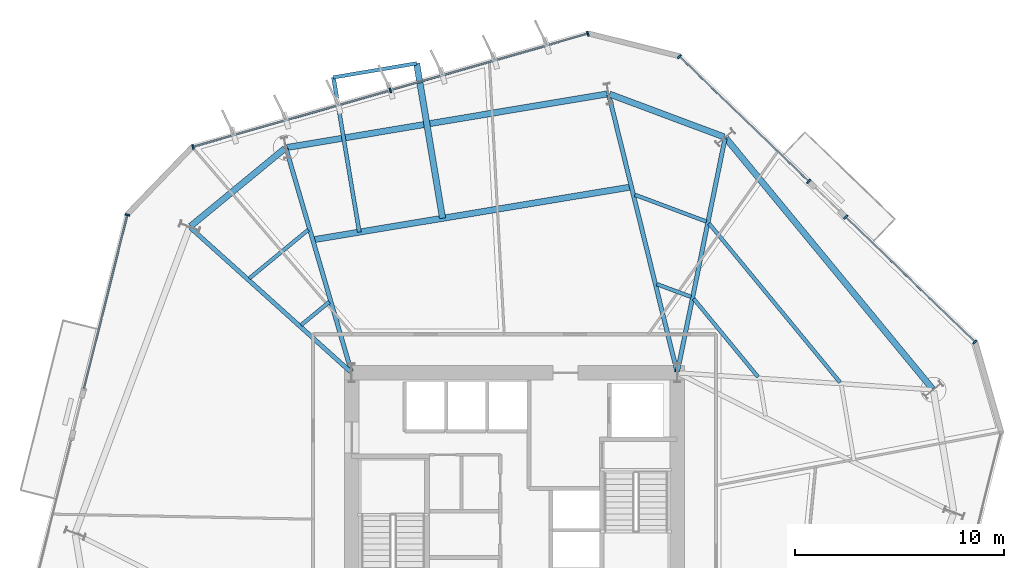
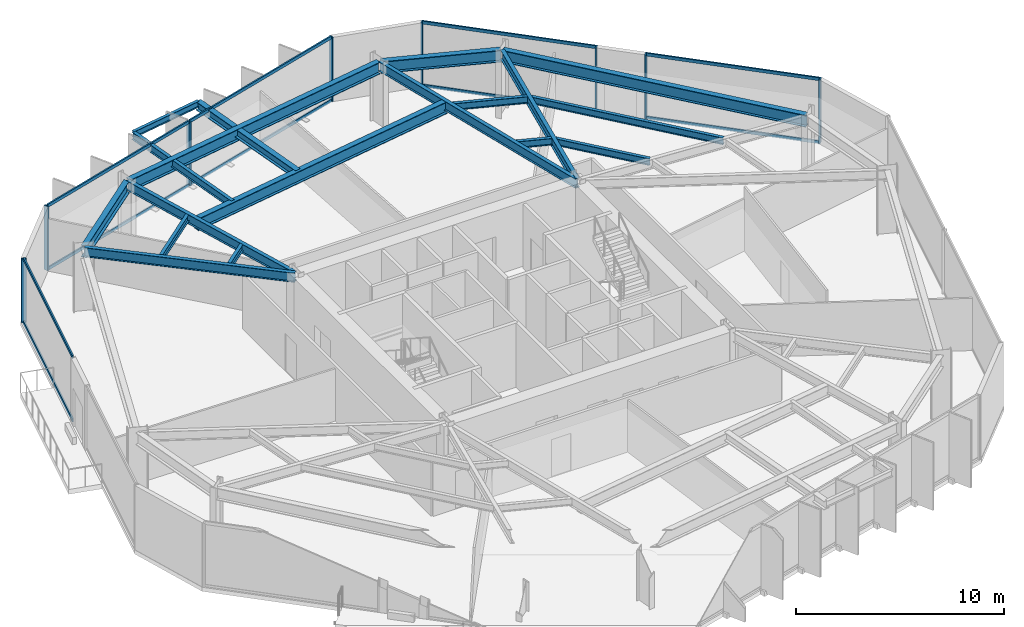
# One storey, part 4 of 10: 18 beams, 18 members, 4 elements without a shape of their own.
"""IFC4 building model written with IfcOpenShell, lengths in metres."""

from ifc_helpers import new_model, si_unit, direction, frame, origin, origin_2d, place, context, subcontext, project, spatial, rectangle, i_section, extrude, material, layer, layer_set, material_profile, profile_set, type_object, element, aggregate, save


model = new_model("IFC4")

# Units and contexts
model_context = context("Model", 3, precision=1e-05, world=origin(), true_north=direction((0.0, 1.0)))
body_context = subcontext(model_context, "Body", "Model", "MODEL_VIEW")
ifc_project = project(units=[si_unit("LENGTHUNIT", "METRE"), si_unit("AREAUNIT", "SQUARE_METRE"), si_unit("VOLUMEUNIT", "CUBIC_METRE"), si_unit("PLANEANGLEUNIT", "RADIAN"), si_unit("MASSUNIT", "GRAM", prefix="KILO")], contexts=[model_context])

# Site, building, storey
site_placement = place(None, origin())
site = spatial("IfcSite", under=ifc_project, at=site_placement, CompositionType="ELEMENT")
building_placement = place(site_placement, origin())
building = spatial("IfcBuilding", under=site, at=building_placement, Name="Kranzbogen Civic Tower", CompositionType="ELEMENT")
storey_placement = place(building_placement, frame((0.0, 0.0, 84.0)))
storey = spatial("IfcBuildingStorey", under=building, at=storey_placement, Name="L20", CompositionType="ELEMENT", Elevation=84.0)

# Beam
ifc_material_1 = material(Name="Steel S355", Category="steel")
ifc_material_profile_1 = material_profile(ifc_material_1, i_section(OverallWidth=0.18994140625, OverallDepth=0.449951171875, WebThickness=0.009521484375, FlangeThickness=0.0146484375, at=origin_2d()), Name="IPE 450")
ifc_profile_set_1 = profile_set([ifc_material_profile_1], Name="Steel S355")
beam_type_1 = type_object("IfcBeamType", Name="Braced Terrace Edge Beam IPE 450", PredefinedType="BEAM", material=ifc_profile_set_1)
beam_1_placement = place(storey_placement, frame((17.56494140625, 38.944091796875, 3.52490234375), z_axis=(-0.165067748131, 0.986282230666, 0.0), x_axis=(-0.986282230666, -0.165067748131, 0.0)))
element("IfcBeam", 1, at=beam_1_placement, inside=storey, type_object=beam_type_1, Name="L21 back-spanned terrace beam L21-TB2-2", PredefinedType="BEAM", context=body_context, shape_type="SweptSolid", body=[
    extrude(i_section(OverallWidth=0.18994140625, OverallDepth=0.449951171875, WebThickness=0.009521484375, FlangeThickness=0.0146484375, at=origin_2d()), origin(), (0.0, 0.0, 1.0), 7.517822265625),
])

# Curtain wall, members
ifc_material_2 = material(Name="Pale Anodised Aluminium", Category="aluminium")
ifc_layer = layer(ifc_material_2, 0.219970703125, Name="Pale Anodised Aluminium")
ifc_layer_set = layer_set([ifc_layer], Name="Pale Anodised Aluminium")
curtain_wall_type = type_object("IfcCurtainWallType", Name="Zone 1 Stick Curtain Wall System CW-02", PredefinedType="USERDEFINED", material=ifc_layer_set)
curtain_wall_1_placement = place(storey_placement, origin())
curtain_wall_1 = element("IfcCurtainWall", 2, at=curtain_wall_1_placement, inside=storey, type_object=curtain_wall_type, Name="L20 curtain wall CW-L20-F1-S1", ObjectType="STICK CURTAIN WALL", PredefinedType="USERDEFINED")
ifc_material_profile_2 = material_profile(ifc_material_2, rectangle(XDim=0.080078125, YDim=0.239990234375, at=origin_2d()), Name="ALU-M 80x240")
ifc_profile_set_2 = profile_set([ifc_material_profile_2], Name="Pale Anodised Aluminium")
member_type_1 = type_object("IfcMemberType", Name="Curtain Wall Mullion ALU-M 80x240", PredefinedType="MULLION", material=ifc_profile_set_2)
member_1_placement = place(storey_placement, frame((47.0654296875, 33.680908203125, 0.0), z_axis=(0.0, 0.0, 1.0), x_axis=(-0.719280253947, 0.694720027264, 0.0)))
member_1 = element("IfcMember", 3, at=member_1_placement, type_object=member_type_1, Name="CW-02 mullion 1", PredefinedType="MULLION", context=body_context, shape_type="SweptSolid", body=[
    extrude(rectangle(XDim=0.080078125, YDim=0.239990234375, at=origin_2d()), origin(), (0.0, 0.0, 1.0), 3.760009765625),
])
member_2_placement = place(storey_placement, frame((40.87060546875, 39.6640625, 0.0), z_axis=(0.0, 0.0, 1.0), x_axis=(-0.719280253947, 0.694720027264, 0.0)))
member_2 = element("IfcMember", 4, at=member_2_placement, type_object=member_type_1, Name="CW-02 mullion 2", PredefinedType="MULLION", context=body_context, shape_type="SweptSolid", body=[
    extrude(rectangle(XDim=0.080078125, YDim=0.239990234375, at=origin_2d()), origin(), (0.0, 0.0, 1.0), 3.760009765625),
])

curtain_wall_2_placement = place(storey_placement, origin())
curtain_wall_2 = element("IfcCurtainWall", 5, at=curtain_wall_2_placement, inside=storey, type_object=curtain_wall_type, Name="L20 curtain wall CW-L20-F1-S2", ObjectType="STICK CURTAIN WALL", PredefinedType="USERDEFINED")
member_3_placement = place(storey_placement, frame((39.100341796875, 41.372802734375, 0.0), z_axis=(0.0, 0.0, 1.0), x_axis=(-0.719337874426, 0.694660364794, 0.0)))
member_3 = element("IfcMember", 6, at=member_3_placement, type_object=member_type_1, Name="CW-02 mullion 1", PredefinedType="MULLION", context=body_context, shape_type="SweptSolid", body=[
    extrude(rectangle(XDim=0.080078125, YDim=0.239990234375, at=origin_2d()), origin(), (0.0, 0.0, 1.0), 3.760009765625),
])
member_4_placement = place(storey_placement, frame((32.905517578125, 47.355224609375, 0.0), z_axis=(0.0, 0.0, 1.0), x_axis=(-0.719337874426, 0.694660364794, 0.0)))
member_4 = element("IfcMember", 7, at=member_4_placement, type_object=member_type_1, Name="CW-02 mullion 2", PredefinedType="MULLION", context=body_context, shape_type="SweptSolid", body=[
    extrude(rectangle(XDim=0.080078125, YDim=0.239990234375, at=origin_2d()), origin(), (0.0, 0.0, 1.0), 3.760009765625),
])

curtain_wall_3_placement = place(storey_placement, origin())
curtain_wall_3 = element("IfcCurtainWall", 8, at=curtain_wall_3_placement, inside=storey, type_object=curtain_wall_type, Name="L20 curtain wall CW-L20-F2", ObjectType="STICK CURTAIN WALL", PredefinedType="USERDEFINED")
member_5_placement = place(storey_placement, frame((28.51416015625, 48.45068359375, 0.0), z_axis=(0.0, 0.0, 1.0), x_axis=(-0.961250163231, -0.275677571973, 0.0)))
member_5 = element("IfcMember", 9, at=member_5_placement, type_object=member_type_1, Name="CW-02 mullion 1", PredefinedType="MULLION", context=body_context, shape_type="SweptSolid", body=[
    extrude(rectangle(XDim=0.080078125, YDim=0.239990234375, at=origin_2d()), origin(), (0.0, 0.0, 1.0), 3.760009765625),
])
member_6_placement = place(storey_placement, frame((19.053466796875, 45.737548828125, 0.0), z_axis=(0.0, 0.0, 1.0), x_axis=(-0.961250163231, -0.275677571973, 0.0)))
member_6 = element("IfcMember", 10, at=member_6_placement, type_object=member_type_1, Name="CW-02 mullion 2", PredefinedType="MULLION", context=body_context, shape_type="SweptSolid", body=[
    extrude(rectangle(XDim=0.080078125, YDim=0.239990234375, at=origin_2d()), origin(), (0.0, 0.0, 1.0), 3.760009765625),
])
member_7_placement = place(storey_placement, frame((9.5927734375, 43.024169921875, 0.0), z_axis=(0.0, 0.0, 1.0), x_axis=(-0.961250163231, -0.275677571973, 0.0)))
member_7 = element("IfcMember", 11, at=member_7_placement, type_object=member_type_1, Name="CW-02 mullion 3", PredefinedType="MULLION", context=body_context, shape_type="SweptSolid", body=[
    extrude(rectangle(XDim=0.080078125, YDim=0.239990234375, at=origin_2d()), origin(), (0.0, 0.0, 1.0), 3.760009765625),
])

# Curtain wall, member
curtain_wall_4_placement = place(storey_placement, origin())
curtain_wall_4 = element("IfcCurtainWall", 12, at=curtain_wall_4_placement, inside=storey, type_object=curtain_wall_type, Name="L20 curtain wall CW-L20-F3-S1", ObjectType="STICK CURTAIN WALL", PredefinedType="USERDEFINED")
member_8_placement = place(storey_placement, frame((6.44873046875, 39.768798828125, 0.0), z_axis=(0.0, 0.0, 1.0), x_axis=(-0.241938635262, -0.970291552456, 0.0)))
member_8 = element("IfcMember", 13, at=member_8_placement, type_object=member_type_1, Name="CW-02 mullion 1", PredefinedType="MULLION", context=body_context, shape_type="SweptSolid", body=[
    extrude(rectangle(XDim=0.080078125, YDim=0.239990234375, at=origin_2d()), origin(), (0.0, 0.0, 1.0), 3.760009765625),
])

# Member
ifc_material_profile_3 = material_profile(ifc_material_2, rectangle(XDim=0.080078125, YDim=0.179931640625, at=origin_2d()), Name="ALU-T 80x180")
ifc_profile_set_3 = profile_set([ifc_material_profile_3], Name="Pale Anodised Aluminium")
member_type_2 = type_object("IfcMemberType", Name="Curtain Wall Transom ALU-T 80x180", PredefinedType="USERDEFINED", material=ifc_profile_set_3)
member_9_placement = place(storey_placement, frame((47.0439453125, 33.70166015625, 0.030029296875), z_axis=(-0.719288815116, 0.694711163326, 0.0), x_axis=(-0.694711163326, -0.719288815116, 0.0)))
member_9 = element("IfcMember", 14, at=member_9_placement, type_object=member_type_2, Name="CW-02 transom 1.1", ObjectType="TRANSOM", PredefinedType="USERDEFINED", context=body_context, shape_type="SweptSolid", body=[
    extrude(rectangle(XDim=0.080078125, YDim=0.179931640625, at=origin_2d()), origin(), (0.0, 0.0, 1.0), 8.552734375),
])

member_10_placement = place(storey_placement, frame((47.0439453125, 33.70166015625, 3.72998046875), z_axis=(-0.719288815116, 0.694711163326, 0.0), x_axis=(-0.694711163326, -0.719288815116, 0.0)))
member_10 = element("IfcMember", 15, at=member_10_placement, type_object=member_type_2, Name="CW-02 transom 1.2", ObjectType="TRANSOM", PredefinedType="USERDEFINED", context=body_context, shape_type="SweptSolid", body=[
    extrude(rectangle(XDim=0.080078125, YDim=0.179931640625, at=origin_2d()), origin(), (0.0, 0.0, 1.0), 8.552734375),
])

aggregate(curtain_wall_1, [member_1, member_2, member_9, member_10])

member_11_placement = place(storey_placement, frame((39.078857421875, 41.393798828125, 0.030029296875), z_axis=(-0.71934636339, 0.694651574156, 0.0), x_axis=(-0.694651574156, -0.71934636339, 0.0)))
member_11 = element("IfcMember", 16, at=member_11_placement, type_object=member_type_2, Name="CW-02 transom 1.1", ObjectType="TRANSOM", PredefinedType="USERDEFINED", context=body_context, shape_type="SweptSolid", body=[
    extrude(rectangle(XDim=0.080078125, YDim=0.179931640625, at=origin_2d()), origin(), (0.0, 0.0, 1.0), 8.5517578125),
])

member_12_placement = place(storey_placement, frame((39.078857421875, 41.393798828125, 3.72998046875), z_axis=(-0.71934636339, 0.694651574156, 0.0), x_axis=(-0.694651574156, -0.71934636339, 0.0)))
member_12 = element("IfcMember", 17, at=member_12_placement, type_object=member_type_2, Name="CW-02 transom 1.2", ObjectType="TRANSOM", PredefinedType="USERDEFINED", context=body_context, shape_type="SweptSolid", body=[
    extrude(rectangle(XDim=0.080078125, YDim=0.179931640625, at=origin_2d()), origin(), (0.0, 0.0, 1.0), 8.5517578125),
])

aggregate(curtain_wall_2, [member_3, member_4, member_11, member_12])

member_13_placement = place(storey_placement, frame((28.4853515625, 48.4423828125, 0.030029296875), z_axis=(-0.96125507311, -0.275660451318, 0.0), x_axis=(0.275660451318, -0.96125507311, 0.0)))
member_13 = element("IfcMember", 18, at=member_13_placement, type_object=member_type_2, Name="CW-02 transom 1.1", ObjectType="TRANSOM", PredefinedType="USERDEFINED", context=body_context, shape_type="SweptSolid", body=[
    extrude(rectangle(XDim=0.080078125, YDim=0.179931640625, at=origin_2d()), origin(), (0.0, 0.0, 1.0), 9.781982421875),
])

member_14_placement = place(storey_placement, frame((28.4853515625, 48.4423828125, 3.72998046875), z_axis=(-0.96125507311, -0.275660451318, 0.0), x_axis=(0.275660451318, -0.96125507311, 0.0)))
member_14 = element("IfcMember", 19, at=member_14_placement, type_object=member_type_2, Name="CW-02 transom 1.2", ObjectType="TRANSOM", PredefinedType="USERDEFINED", context=body_context, shape_type="SweptSolid", body=[
    extrude(rectangle(XDim=0.080078125, YDim=0.179931640625, at=origin_2d()), origin(), (0.0, 0.0, 1.0), 9.781982421875),
])

member_15_placement = place(storey_placement, frame((19.024658203125, 45.729248046875, 0.030029296875), z_axis=(-0.961248459523, -0.275683512499, 0.0), x_axis=(0.275683512499, -0.961248459523, 0.0)))
member_15 = element("IfcMember", 20, at=member_15_placement, type_object=member_type_2, Name="CW-02 transom 2.1", ObjectType="TRANSOM", PredefinedType="USERDEFINED", context=body_context, shape_type="SweptSolid", body=[
    extrude(rectangle(XDim=0.080078125, YDim=0.179931640625, at=origin_2d()), origin(), (0.0, 0.0, 1.0), 9.7822265625),
])

member_16_placement = place(storey_placement, frame((19.024658203125, 45.729248046875, 3.72998046875), z_axis=(-0.961248459523, -0.275683512499, 0.0), x_axis=(0.275683512499, -0.961248459523, 0.0)))
member_16 = element("IfcMember", 21, at=member_16_placement, type_object=member_type_2, Name="CW-02 transom 2.2", ObjectType="TRANSOM", PredefinedType="USERDEFINED", context=body_context, shape_type="SweptSolid", body=[
    extrude(rectangle(XDim=0.080078125, YDim=0.179931640625, at=origin_2d()), origin(), (0.0, 0.0, 1.0), 9.7822265625),
])

aggregate(curtain_wall_3, [member_5, member_6, member_7, member_13, member_14, member_15, member_16])

member_17_placement = place(storey_placement, frame((6.44140625, 39.73974609375, 0.030029296875), z_axis=(-0.241924292252, -0.97029512872, 0.0), x_axis=(0.97029512872, -0.241924292252, 0.0)))
member_17 = element("IfcMember", 22, at=member_17_placement, type_object=member_type_2, Name="CW-02 transom 1.1", ObjectType="TRANSOM", PredefinedType="USERDEFINED", context=body_context, shape_type="SweptSolid", body=[
    extrude(rectangle(XDim=0.080078125, YDim=0.179931640625, at=origin_2d()), origin(), (0.0, 0.0, 1.0), 8.551513671875),
])

member_18_placement = place(storey_placement, frame((6.44140625, 39.73974609375, 3.72998046875), z_axis=(-0.241924292252, -0.97029512872, 0.0), x_axis=(0.97029512872, -0.241924292252, 0.0)))
member_18 = element("IfcMember", 23, at=member_18_placement, type_object=member_type_2, Name="CW-02 transom 1.2", ObjectType="TRANSOM", PredefinedType="USERDEFINED", context=body_context, shape_type="SweptSolid", body=[
    extrude(rectangle(XDim=0.080078125, YDim=0.179931640625, at=origin_2d()), origin(), (0.0, 0.0, 1.0), 8.551513671875),
])

aggregate(curtain_wall_4, [member_8, member_17, member_18])

# Beams
ifc_material_profile_4 = material_profile(ifc_material_1, i_section(OverallWidth=0.300048828125, OverallDepth=0.5, WebThickness=0.014404296875, FlangeThickness=0.028076171875, at=origin_2d()), Name="HEB 500")
ifc_profile_set_4 = profile_set([ifc_material_profile_4], Name="Steel S355")
beam_type_2 = type_object("IfcBeamType", Name="Perimeter Tube Spandrel Beam HEB 500", PredefinedType="SPANDREL", material=ifc_profile_set_4)
beam_2_placement = place(storey_placement, frame((21.554931640625, 39.60693359375, 3.5), z_axis=(-0.165014409192, 0.98629115618, 0.0), x_axis=(-0.98629115618, -0.165014409192, 0.0)))
element("IfcBeam", 24, at=beam_2_placement, inside=storey, type_object=beam_type_2, Name="L21 back-spanned terrace beam L21-TB2-1", PredefinedType="SPANDREL", context=body_context, shape_type="SweptSolid", body=[
    extrude(i_section(OverallWidth=0.300048828125, OverallDepth=0.5, WebThickness=0.014404296875, FlangeThickness=0.028076171875, at=origin_2d()), origin(), (0.0, 0.0, 1.0), 7.5263671875),
])
ifc_material_profile_5 = material_profile(ifc_material_1, i_section(OverallWidth=0.300048828125, OverallDepth=0.699951171875, WebThickness=0.01708984375, FlangeThickness=0.031982421875, at=origin_2d()), Name="HEB 700")
ifc_profile_set_5 = profile_set([ifc_material_profile_5], Name="Steel S355")
beam_type_3 = type_object("IfcBeamType", Name="Perimeter Tube Spandrel Beam HEB 700", PredefinedType="SPANDREL", material=ifc_profile_set_5)
beam_3_placement = place(storey_placement, frame((45.033935546875, 31.431884765625, 3.409912109375), z_axis=(-0.636074572579, 0.771627590304, 0.0), x_axis=(-0.771627590304, -0.636074572579, 0.0)))
element("IfcBeam", 25, at=beam_3_placement, inside=storey, type_object=beam_type_3, Name="L20 perimeter spandrel beam 08", PredefinedType="SPANDREL", context=body_context, shape_type="SweptSolid", body=[
    extrude(i_section(OverallWidth=0.300048828125, OverallDepth=0.699951171875, WebThickness=0.01708984375, FlangeThickness=0.031982421875, at=origin_2d()), origin(), (0.0, 0.0, 1.0), 15.5595703125),
])
beam_4_placement = place(storey_placement, frame((35.04296875, 43.5048828125, 3.409912109375), z_axis=(-0.936647646965, 0.350273015568, 0.0), x_axis=(-0.350273015568, -0.936647646965, 0.0)))
element("IfcBeam", 26, at=beam_4_placement, inside=storey, type_object=beam_type_3, Name="L20 perimeter spandrel beam 09", PredefinedType="SPANDREL", context=body_context, shape_type="SweptSolid", body=[
    extrude(i_section(OverallWidth=0.300048828125, OverallDepth=0.699951171875, WebThickness=0.01708984375, FlangeThickness=0.031982421875, at=origin_2d()), origin(), (0.0, 0.0, 1.0), 5.852783203125),
])
beam_5_placement = place(storey_placement, frame((29.446044921875, 45.56591796875, 3.409912109375), z_axis=(-0.986285563243, -0.165047834697, 0.0), x_axis=(0.165047834697, -0.986285563243, 0.0)))
element("IfcBeam", 27, at=beam_5_placement, inside=storey, type_object=beam_type_3, Name="L20 perimeter spandrel beam 10", PredefinedType="SPANDREL", context=body_context, shape_type="SweptSolid", body=[
    extrude(i_section(OverallWidth=0.300048828125, OverallDepth=0.699951171875, WebThickness=0.01708984375, FlangeThickness=0.031982421875, at=origin_2d()), origin(), (0.0, 0.0, 1.0), 15.558349609375),
])
beam_6_placement = place(storey_placement, frame((13.99609375, 42.949951171875, 3.409912109375), z_axis=(-0.77168336865, -0.636006901337, 0.0), x_axis=(0.636006901337, -0.77168336865, 0.0)))
element("IfcBeam", 28, at=beam_6_placement, inside=storey, type_object=beam_type_3, Name="L20 perimeter spandrel beam 11", PredefinedType="SPANDREL", context=body_context, shape_type="SweptSolid", body=[
    extrude(i_section(OverallWidth=0.300048828125, OverallDepth=0.699951171875, WebThickness=0.01708984375, FlangeThickness=0.031982421875, at=origin_2d()), origin(), (0.0, 0.0, 1.0), 5.853515625),
])
beam_7_placement = place(storey_placement, frame((30.60498046875, 41.110107421875, 3.39990234375), z_axis=(-0.9864781902, -0.163892587571, 0.0), x_axis=(0.163892587571, -0.9864781902, 0.0)))
element("IfcBeam", 29, at=beam_7_placement, inside=storey, type_object=beam_type_3, Name="L21 balcony back-span header girder L21-TB2", PredefinedType="SPANDREL", context=body_context, shape_type="SweptSolid", body=[
    extrude(i_section(OverallWidth=0.300048828125, OverallDepth=0.699951171875, WebThickness=0.01708984375, FlangeThickness=0.031982421875, at=origin_2d()), origin(), (0.0, 0.0, 1.0), 15.480224609375),
])
ifc_material_profile_6 = material_profile(ifc_material_1, i_section(OverallWidth=0.2099609375, OverallDepth=0.550048828125, WebThickness=0.010986328125, FlangeThickness=0.01708984375, at=origin_2d()), Name="IPE 550")
ifc_profile_set_6 = profile_set([ifc_material_profile_6], Name="Steel S355")
beam_type_4 = type_object("IfcBeamType", Name="Radial Tower Floor Girder IPE 550", PredefinedType="BEAM", material=ifc_profile_set_6)
beam_8_placement = place(storey_placement, frame((35.0869140625, 43.425048828125, 3.485107421875), z_axis=(-0.199633433694, -0.979870650725, 0.0), x_axis=(0.979870650725, -0.199633433694, 0.0)))
element("IfcBeam", 30, at=beam_8_placement, inside=storey, type_object=beam_type_4, Name="L20 radial floor girder 09", PredefinedType="BEAM", context=body_context, shape_type="SweptSolid", body=[
    extrude(i_section(OverallWidth=0.2099609375, OverallDepth=0.550048828125, WebThickness=0.010986328125, FlangeThickness=0.01708984375, at=origin_2d()), origin(), (0.0, 0.0, 1.0), 11.3955078125),
])
beam_9_placement = place(storey_placement, frame((29.51904296875, 45.51806640625, 3.485107421875), z_axis=(0.239215348776, -0.970966537482, 0.0), x_axis=(0.970966537482, 0.239215348776, 0.0)))
element("IfcBeam", 31, at=beam_9_placement, inside=storey, type_object=beam_type_4, Name="L20 radial floor girder 10", PredefinedType="BEAM", context=body_context, shape_type="SweptSolid", body=[
    extrude(i_section(OverallWidth=0.2099609375, OverallDepth=0.550048828125, WebThickness=0.010986328125, FlangeThickness=0.01708984375, at=origin_2d()), origin(), (0.0, 0.0, 1.0), 13.656494140625),
])
beam_10_placement = place(storey_placement, frame((14.05908203125, 42.929931640625, 3.485107421875), z_axis=(0.280944131918, -0.959724124288, 0.0), x_axis=(0.959724124288, 0.280944131918, 0.0)))
element("IfcBeam", 32, at=beam_10_placement, inside=storey, type_object=beam_type_4, Name="L20 radial floor girder 11", PredefinedType="BEAM", context=body_context, shape_type="SweptSolid", body=[
    extrude(i_section(OverallWidth=0.2099609375, OverallDepth=0.550048828125, WebThickness=0.010986328125, FlangeThickness=0.01708984375, at=origin_2d()), origin(), (0.0, 0.0, 1.0), 11.11962890625),
])
beam_11_placement = place(storey_placement, frame((9.47802734375, 39.14892578125, 3.485107421875), z_axis=(0.743311776894, -0.668945141496, 0.0), x_axis=(0.668945141496, 0.743311776894, 0.0)))
element("IfcBeam", 33, at=beam_11_placement, inside=storey, type_object=beam_type_4, Name="L20 radial floor girder 12", PredefinedType="BEAM", context=body_context, shape_type="SweptSolid", body=[
    extrude(i_section(OverallWidth=0.2099609375, OverallDepth=0.550048828125, WebThickness=0.010986328125, FlangeThickness=0.01708984375, at=origin_2d()), origin(), (0.0, 0.0, 1.0), 10.328125),
])
ifc_material_profile_7 = material_profile(ifc_material_1, i_section(OverallWidth=0.169921875, OverallDepth=0.360107421875, WebThickness=0.008056640625, FlangeThickness=0.0126953125, at=origin_2d()), Name="IPE 360")
ifc_profile_set_7 = profile_set([ifc_material_profile_7], Name="Steel S355")
beam_type_5 = type_object("IfcBeamType", Name="Secondary Composite Floor Joist IPE 360", PredefinedType="JOIST", material=ifc_profile_set_7)
beam_12_placement = place(storey_placement, frame((20.31298828125, 47.030029296875, 3.570068359375), z_axis=(-0.986139918864, -0.165915823304, 0.0), x_axis=(0.165915823304, -0.986139918864, 0.0)))
element("IfcBeam", 34, at=beam_12_placement, inside=storey, type_object=beam_type_5, Name="L21 terrace outer edge trimmer L21-TB2", PredefinedType="JOIST", context=body_context, shape_type="SweptSolid", body=[
    extrude(i_section(OverallWidth=0.169921875, OverallDepth=0.360107421875, WebThickness=0.008056640625, FlangeThickness=0.0126953125, at=origin_2d()), origin(), (0.0, 0.0, 1.0), 4.045166015625),
])
ifc_material_profile_8 = material_profile(ifc_material_1, i_section(OverallWidth=0.179931640625, OverallDepth=0.39990234375, WebThickness=0.008544921875, FlangeThickness=0.013427734375, at=origin_2d()), Name="IPE 400")
ifc_profile_set_8 = profile_set([ifc_material_profile_8], Name="Steel S355")
beam_type_6 = type_object("IfcBeamType", Name="Secondary Composite Floor Joist IPE 400", PredefinedType="JOIST", material=ifc_profile_set_8)
beam_13_placement = place(storey_placement, frame((40.60302734375, 31.740966796875, 3.56005859375), z_axis=(-0.636094561772, 0.771611112209, 0.0), x_axis=(-0.771611112209, -0.636094561772, 0.0)))
element("IfcBeam", 35, at=beam_13_placement, inside=storey, type_object=beam_type_6, Name="L20 secondary floor joist 1.08", PredefinedType="JOIST", context=body_context, shape_type="SweptSolid", body=[
    extrude(i_section(OverallWidth=0.179931640625, OverallDepth=0.39990234375, WebThickness=0.008544921875, FlangeThickness=0.013427734375, at=origin_2d()), origin(), (0.0, 0.0, 1.0), 9.874267578125),
])
beam_14_placement = place(storey_placement, frame((36.676025390625, 32.0009765625, 3.56005859375), z_axis=(-0.636012010413, 0.771679157818, 0.0), x_axis=(-0.771679157818, -0.636012010413, 0.0)))
element("IfcBeam", 36, at=beam_14_placement, inside=storey, type_object=beam_type_6, Name="L20 secondary floor joist 2.08", PredefinedType="JOIST", context=body_context, shape_type="SweptSolid", body=[
    extrude(i_section(OverallWidth=0.179931640625, OverallDepth=0.39990234375, WebThickness=0.008544921875, FlangeThickness=0.013427734375, at=origin_2d()), origin(), (0.0, 0.0, 1.0), 4.85693359375),
])
beam_15_placement = place(storey_placement, frame((34.196044921875, 39.449951171875, 3.56005859375), z_axis=(-0.936622008794, 0.350341565678, 0.0), x_axis=(-0.350341565678, -0.936622008794, 0.0)))
element("IfcBeam", 37, at=beam_15_placement, inside=storey, type_object=beam_type_6, Name="L20 secondary floor joist 1.09", PredefinedType="JOIST", context=body_context, shape_type="SweptSolid", body=[
    extrude(i_section(OverallWidth=0.179931640625, OverallDepth=0.39990234375, WebThickness=0.008544921875, FlangeThickness=0.013427734375, at=origin_2d()), origin(), (0.0, 0.0, 1.0), 3.662109375),
])
beam_16_placement = place(storey_placement, frame((33.4609375, 35.839111328125, 3.56005859375), z_axis=(-0.936735458815, 0.350038112495, 0.0), x_axis=(-0.350038112495, -0.936735458815, 0.0)))
element("IfcBeam", 38, at=beam_16_placement, inside=storey, type_object=beam_type_6, Name="L20 secondary floor joist 2.09", PredefinedType="JOIST", context=body_context, shape_type="SweptSolid", body=[
    extrude(i_section(OverallWidth=0.179931640625, OverallDepth=0.39990234375, WebThickness=0.008544921875, FlangeThickness=0.013427734375, at=origin_2d()), origin(), (0.0, 0.0, 1.0), 1.750732421875),
])
beam_17_placement = place(storey_placement, frame((15.116943359375, 39.052978515625, 3.56005859375), z_axis=(-0.771712720426, -0.635971286406, 0.0), x_axis=(0.635971286406, -0.771712720426, 0.0)))
element("IfcBeam", 39, at=beam_17_placement, inside=storey, type_object=beam_type_6, Name="L20 secondary floor joist 1.11", PredefinedType="JOIST", context=body_context, shape_type="SweptSolid", body=[
    extrude(i_section(OverallWidth=0.179931640625, OverallDepth=0.39990234375, WebThickness=0.008544921875, FlangeThickness=0.013427734375, at=origin_2d()), origin(), (0.0, 0.0, 1.0), 3.661865234375),
])
beam_18_placement = place(storey_placement, frame((16.1279296875, 35.60107421875, 3.56005859375), z_axis=(-0.771773324836, -0.635897739477, 0.0), x_axis=(0.635897739477, -0.771773324836, 0.0)))
element("IfcBeam", 40, at=beam_18_placement, inside=storey, type_object=beam_type_6, Name="L20 secondary floor joist 2.11", PredefinedType="JOIST", context=body_context, shape_type="SweptSolid", body=[
    extrude(i_section(OverallWidth=0.179931640625, OverallDepth=0.39990234375, WebThickness=0.008544921875, FlangeThickness=0.013427734375, at=origin_2d()), origin(), (0.0, 0.0, 1.0), 1.751953125),
])

save(model, "model.ifc")
